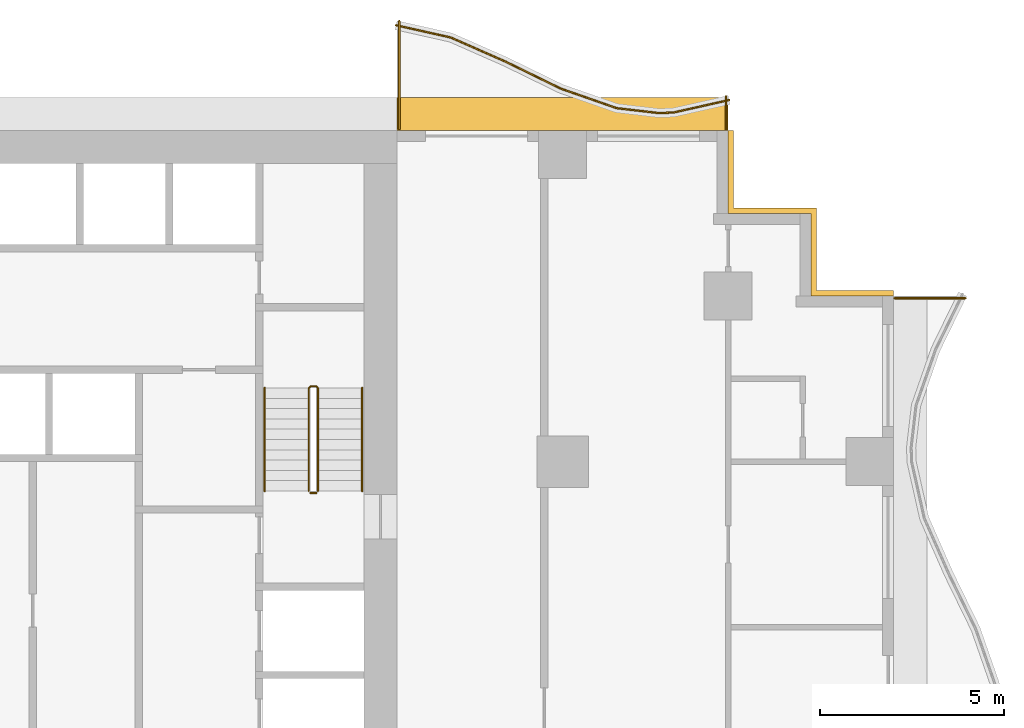
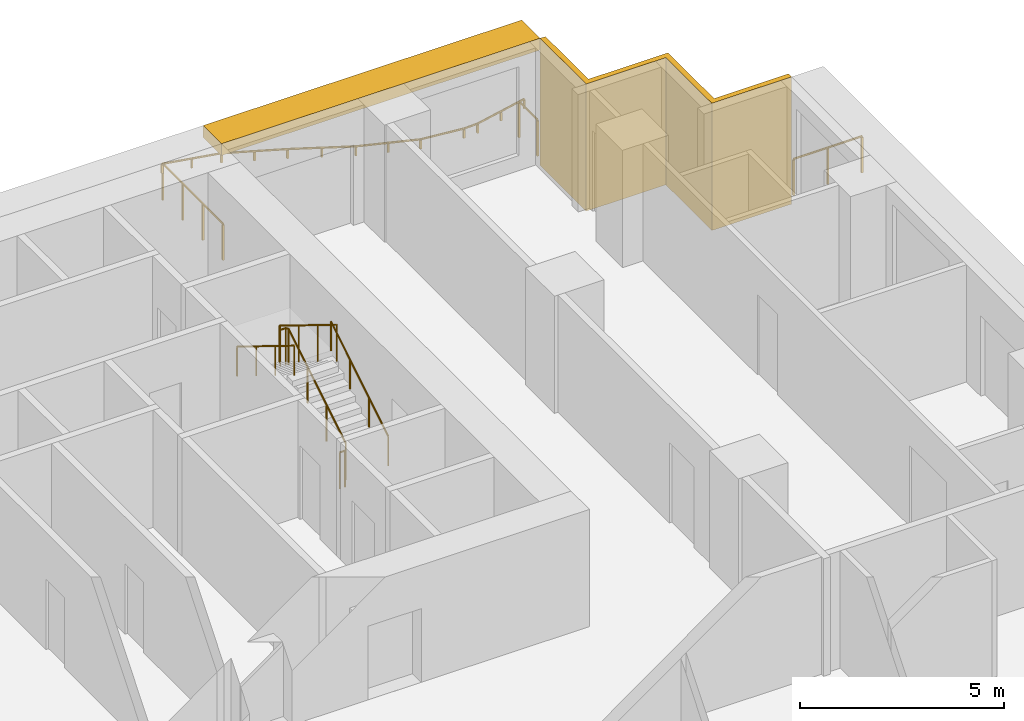
# One storey, part 13 of 13: 8 railings, 2 shading devices.
"""IFC4 building model written with IfcOpenShell, lengths in metres."""

import ifcopenshell
import ifcopenshell.guid

model = None  # the IFC model being written
_history = None  # IfcOwnerHistory: only IFC2X3 demands one
_inside = {}  # id of a spatial element -> (the spatial element, [elements in it])
_under = {}  # id of a project, library or spatial element -> (it, [spatial elements below it])
_declared = {}  # id of a project -> (the project, [libraries it declares])
_typed = {}  # id of a type object -> (the type object, [elements of that type])
_made_of = {}  # id of a material, layer set ... -> (it, [elements and type objects made of it])


def new_model(schema):
    """Start an empty IFC model of exactly this schema.

    Asked for "IFC4X3", IfcOpenShell would pick the latest addendum, in which some entities
    have other attributes; the version numbers below select the first issue.
    IFC2X3 requires an IfcOwnerHistory on every rooted entity: one is made here for all.
    """
    global model, _history
    if schema == "IFC4X3":
        model = ifcopenshell.file(schema_version=(4, 3, 0, 0))
    else:
        model = ifcopenshell.file(schema=schema)
    _inside.clear()
    _under.clear()
    _declared.clear()
    _typed.clear()
    _made_of.clear()
    _history = None
    if model.schema == "IFC2X3":
        org = make("IfcOrganization", Name="unknown")
        user = make(
            "IfcPersonAndOrganization",
            ThePerson=make("IfcPerson", FamilyName="unknown"),
            TheOrganization=org,
        )
        app = make(
            "IfcApplication",
            ApplicationDeveloper=org,
            Version="unknown",
            ApplicationFullName="unknown",
            ApplicationIdentifier="unknown",
        )
        _history = make(
            "IfcOwnerHistory",
            OwningUser=user,
            OwningApplication=app,
            ChangeAction="ADDED",
            CreationDate=0,
        )
    return model


def make(cls, **values):
    """One entity of the class cls with the attributes given. An attribute that is None is left unset."""
    return model.create_entity(
        cls, **{name: value for name, value in values.items() if value is not None}
    )


def rooted(cls, **values):
    """An entity with a GlobalId (a new one), such as an element, a storey or a relation."""
    return make(cls, GlobalId=ifcopenshell.guid.new(), OwnerHistory=_history, **values)


def si_unit(unit_type, name, prefix=None):
    """IfcSIUnit, for example si_unit("LENGTHUNIT", "METRE", prefix="MILLI")."""
    return make("IfcSIUnit", UnitType=unit_type, Prefix=prefix, Name=name)


def assignment(units):
    """IfcUnitAssignment: the units of a project."""
    return None if units is None else make("IfcUnitAssignment", Units=units)


def point(xyz):
    """IfcCartesianPoint."""
    return None if xyz is None else make("IfcCartesianPoint", Coordinates=xyz)


def direction(xyz):
    """IfcDirection."""
    return None if xyz is None else make("IfcDirection", DirectionRatios=xyz)


def frame(location, z_axis=None, x_axis=None):
    """IfcAxis2Placement3D, a coordinate frame: its origin and axes. An axis left out is left unset."""
    return make(
        "IfcAxis2Placement3D",
        Location=point(location),
        Axis=direction(z_axis),
        RefDirection=direction(x_axis),
    )


def frame_2d(location, x_axis=None):
    """IfcAxis2Placement2D, a coordinate frame in the plane: its origin and x axis."""
    return make(
        "IfcAxis2Placement2D", Location=point(location), RefDirection=direction(x_axis)
    )


def origin():
    """The frame at (0, 0, 0) with its axes left unset."""
    return frame((0.0, 0.0, 0.0))


def origin_2d():
    """The frame at (0, 0) in the plane with its x axis left unset."""
    return frame_2d((0.0, 0.0))


def place(relative_to, where):
    """IfcLocalPlacement: puts the frame where relative to a parent placement (None: the world)."""
    return make(
        "IfcLocalPlacement", PlacementRelTo=relative_to, RelativePlacement=where
    )


def context(
    kind, dimensions, precision=None, world=None, true_north=None, identifier=None
):
    """IfcGeometricRepresentationContext, for example the 3D "Model" context."""
    return make(
        "IfcGeometricRepresentationContext",
        ContextIdentifier=identifier,
        ContextType=kind,
        CoordinateSpaceDimension=dimensions,
        Precision=precision,
        WorldCoordinateSystem=world,
        TrueNorth=true_north,
    )


def subcontext(parent, identifier, kind, view, scale=None):
    """IfcGeometricRepresentationSubContext, for example "Body" below "Model"."""
    return make(
        "IfcGeometricRepresentationSubContext",
        ContextIdentifier=identifier,
        ContextType=kind,
        ParentContext=parent,
        TargetScale=scale,
        TargetView=view,
    )


def project(units=None, contexts=None):
    """IfcProject with its units and contexts."""
    return rooted(
        "IfcProject",
        Name="project",
        RepresentationContexts=contexts,
        UnitsInContext=assignment(units),
    )


def spatial(cls, under=None, at=None, **own):
    """A site, building, storey or space (cls), placed at a placement, below another one or the project."""
    s = rooted(cls, ObjectPlacement=at, **own)
    if under is not None:
        _under.setdefault(under.id(), (under, []))[1].append(s)
    return s


def polyline(points):
    """IfcPolyline through the points."""
    return make("IfcPolyline", Points=[point(p) for p in points])


def profile(cls, at=None, kind="AREA", **sizes):
    """A parametric profile (cls). Its sizes go by their IFC names, for example OverallWidth=200.0."""
    return make(cls, ProfileType=kind, Position=at, **sizes)


def rectangle(**sizes):
    """IfcRectangleProfileDef."""
    return profile("IfcRectangleProfileDef", **sizes)


def circle(**sizes):
    """IfcCircleProfileDef."""
    return profile("IfcCircleProfileDef", **sizes)


def outline(outer, holes=None, kind="AREA"):
    """IfcArbitraryClosedProfileDef: a profile drawn as a closed curve; with holes, ...WithVoids."""
    if holes is None:
        return make("IfcArbitraryClosedProfileDef", ProfileType=kind, OuterCurve=outer)
    return make(
        "IfcArbitraryProfileDefWithVoids",
        ProfileType=kind,
        OuterCurve=outer,
        InnerCurves=holes,
    )


def extrude(swept, where, along, depth):
    """IfcExtrudedAreaSolid: the profile swept, set in the frame where, extruded along a direction by depth."""
    return make(
        "IfcExtrudedAreaSolid",
        SweptArea=swept,
        Position=where,
        ExtrudedDirection=direction(along),
        Depth=depth,
    )


def shape(context_of_items, identifier, shape_type, items):
    """IfcShapeRepresentation: the items that make up one representation, for example the "Body"."""
    return make(
        "IfcShapeRepresentation",
        ContextOfItems=context_of_items,
        RepresentationIdentifier=identifier,
        RepresentationType=shape_type,
        Items=items,
    )


def material(Name=None, Category=None):
    """IfcMaterial."""
    return make("IfcMaterial", Name=Name, Category=Category)


def layer(
    of_material, thickness, ventilated=None, Name=None, Category=None, Priority=None
):
    """IfcMaterialLayer: one layer of a wall or slab, of a material (None: an air gap)."""
    return make(
        "IfcMaterialLayer",
        Material=of_material,
        LayerThickness=thickness,
        IsVentilated=ventilated,
        Name=Name,
        Category=Category,
        Priority=Priority,
    )


def layer_set(layers, Name=None):
    """IfcMaterialLayerSet."""
    return make("IfcMaterialLayerSet", MaterialLayers=layers, LayerSetName=Name)


def made_of(thing, what):
    """Note that an element or type object is made of a material, layer set ...; save() writes the relation."""
    if what is not None:
        _made_of.setdefault(what.id(), (what, []))[1].append(thing)
    return thing


def type_object(cls, material=None, **own):
    """A type object (cls), such as IfcWallType, which elements share."""
    return made_of(rooted(cls, **own), material)


def element(
    cls,
    number,
    at=None,
    inside=None,
    cuts=None,
    type_object=None,
    material=None,
    context=None,
    identifier="Body",
    shape_type=None,
    held_by="IfcProductDefinitionShape",
    body=None,
    shapes=None,
    **own,
):
    """One element of the class cls, such as IfcWall. Its Tag is "e" and its number.

    at: its placement. inside: the storey or other place that contains it. cuts: it is an
    opening in that element (IfcRelVoidsElement). A single representation is given by context,
    identifier, shape_type and body (its items); several are given by shapes. held_by: the class
    of the entity that holds the representations. save() writes the other relations.
    """
    e = rooted(cls, Tag="e%d" % number, ObjectPlacement=at, **own)
    if body is not None:
        shapes = [shape(context, identifier, shape_type, body)]
    if shapes is not None:
        e.Representation = make(held_by, Representations=shapes)
    if inside is not None:
        _inside.setdefault(inside.id(), (inside, []))[1].append(e)
    if cuts is not None:
        rooted(
            "IfcRelVoidsElement", RelatingBuildingElement=cuts, RelatedOpeningElement=e
        )
    if type_object is not None:
        _typed.setdefault(type_object.id(), (type_object, []))[1].append(e)
    return made_of(e, material)


def aggregate(whole, parts):
    """IfcRelAggregates: a whole, such as a stair, and the parts it consists of."""
    return rooted("IfcRelAggregates", RelatingObject=whole, RelatedObjects=parts)


def save(model, path):
    """Write the relations noted so far, then the file.

    IfcRelAggregates (storeys below a building ...), IfcRelContainedInSpatialStructure (elements
    in a storey), IfcRelDefinesByType, IfcRelAssociatesMaterial and IfcRelDeclares: one each for
    every whole, place, type object, material and project.
    """
    for whole, parts in _under.values():
        aggregate(whole, parts)
    for where, things in _inside.values():
        rooted(
            "IfcRelContainedInSpatialStructure",
            RelatedElements=things,
            RelatingStructure=where,
        )
    for kind, things in _typed.values():
        rooted("IfcRelDefinesByType", RelatedObjects=things, RelatingType=kind)
    for what, things in _made_of.values():
        rooted("IfcRelAssociatesMaterial", RelatedObjects=things, RelatingMaterial=what)
    for by, libraries in _declared.values():
        rooted("IfcRelDeclares", RelatingContext=by, RelatedDefinitions=libraries)
    model.write(path)


model = new_model("IFC4")

# Units and contexts
model_context = context("Model", 3, precision=1e-05, world=origin(), true_north=direction((0.0, 1.0)))
body_context = subcontext(model_context, "Body", "Model", "MODEL_VIEW")
ifc_project = project(units=[si_unit("LENGTHUNIT", "METRE"), si_unit("AREAUNIT", "SQUARE_METRE"), si_unit("VOLUMEUNIT", "CUBIC_METRE"), si_unit("PLANEANGLEUNIT", "RADIAN"), si_unit("MASSUNIT", "GRAM", prefix="KILO")], contexts=[model_context])

# Site, building, storey
site_placement = place(None, origin())
site = spatial("IfcSite", under=ifc_project, at=site_placement, CompositionType="ELEMENT")
building_placement = place(site_placement, origin())
building = spatial("IfcBuilding", under=site, at=building_placement, Name="Orbiselva Terraces", CompositionType="ELEMENT")
storey_placement = place(building_placement, frame((0.0, 0.0, 96.0)))
storey = spatial("IfcBuildingStorey", under=building, at=storey_placement, Name="L24", CompositionType="ELEMENT", Elevation=96.0)

# Railings
ifc_material_1 = material(Name="Stainless steel", Category="steel")
railing_type_1 = type_object("IfcRailingType", Name="CORE-GUARD-1100", PredefinedType="GUARDRAIL", material=ifc_material_1)
railing_1_placement = place(storey_placement, frame((11.35, 12.7, 0.172727)))
element("IfcRailing", 1, at=railing_1_placement, inside=storey, type_object=railing_type_1, Name="L24 S2 stair guard 1", PredefinedType="GUARDRAIL", context=body_context, shape_type="SweptSolid", body=[
    extrude(circle(Radius=0.024, at=origin_2d()), frame((0.0, 0.0, 1.081), z_axis=(0.0, 0.851088519012, 0.52502222125), x_axis=(-1.0, 0.0, 0.0)), (0.0, 0.0, 1.0), 3.289905),
    extrude(circle(Radius=0.024, at=origin_2d()), frame((0.0, 2.8, 2.808273), z_axis=(-0.707106781187, 0.707106781187, 0.0), x_axis=(-0.707106781187, -0.707106781187, 0.0)), (0.0, 0.0, 1.0), 0.070711),
    extrude(circle(Radius=0.024, at=origin_2d()), frame((-0.05, 2.85, 2.808273), z_axis=(-1.0, 0.0, 0.0), x_axis=(0.0, -1.0, 0.0)), (0.0, 0.0, 1.0), 0.15),
    extrude(circle(Radius=0.024, at=origin_2d()), frame((-0.2, 2.85, 2.808273), z_axis=(-0.267894925557, -0.267894925557, 0.925453736133), x_axis=(0.707106781187, -0.707106781187, 0.0)), (0.0, 0.0, 1.0), 0.18664),
    extrude(circle(Radius=0.024, at=origin_2d()), frame((-0.25, 2.8, 2.981), z_axis=(0.0, -0.851088519012, 0.52502222125), x_axis=(1.0, 0.0, 0.0)), (0.0, 0.0, 1.0), 3.289905),
    extrude(circle(Radius=0.021, at=origin_2d()), origin(), (0.0, 0.0, 1.0), 1.057),
    extrude(circle(Radius=0.021, at=origin_2d()), frame((0.0, 0.933333, 0.575758)), (0.0, 0.0, 1.0), 1.057),
    extrude(circle(Radius=0.021, at=origin_2d()), frame((0.0, 1.866667, 1.151515)), (0.0, 0.0, 1.0), 1.057),
    extrude(circle(Radius=0.021, at=origin_2d()), frame((0.0, 2.8, 1.727273)), (0.0, 0.0, 1.0), 1.057),
    extrude(circle(Radius=0.021, at=origin_2d()), frame((-0.05, 2.85, 1.727273)), (0.0, 0.0, 1.0), 1.057),
    extrude(circle(Radius=0.021, at=origin_2d()), frame((-0.2, 2.85, 1.727273)), (0.0, 0.0, 1.0), 1.057),
    extrude(circle(Radius=0.021, at=origin_2d()), frame((-0.25, 2.8, 1.9)), (0.0, 0.0, 1.0), 1.057),
    extrude(circle(Radius=0.021, at=origin_2d()), frame((-0.25, 1.866667, 2.475758)), (0.0, 0.0, 1.0), 1.057),
    extrude(circle(Radius=0.021, at=origin_2d()), frame((-0.25, 0.933333, 3.051515)), (0.0, 0.0, 1.0), 1.057),
    extrude(circle(Radius=0.021, at=origin_2d()), frame((-0.25, 0.0, 3.627273)), (0.0, 0.0, 1.0), 1.057),
])
railing_2_placement = place(storey_placement, frame((11.3, 12.65, 0.0)))
element("IfcRailing", 2, at=railing_2_placement, inside=storey, type_object=railing_type_1, Name="L24 S2 stair guard 2", PredefinedType="GUARDRAIL", context=body_context, shape_type="SweptSolid", body=[
    extrude(circle(Radius=0.024, at=origin_2d()), frame((0.0, 0.0, 1.081), z_axis=(-1.0, 0.0, 0.0), x_axis=(0.0, -1.0, 0.0)), (0.0, 0.0, 1.0), 0.15),
    extrude(circle(Radius=0.021, at=origin_2d()), origin(), (0.0, 0.0, 1.0), 1.057),
    extrude(circle(Radius=0.021, at=origin_2d()), frame((-0.15, 0.0, 0.0)), (0.0, 0.0, 1.0), 1.057),
])
railing_type_2 = type_object("IfcRailingType", Name="CORE-HANDRAIL-900", PredefinedType="HANDRAIL", material=ifc_material_1)
railing_3_placement = place(storey_placement, frame((12.55, 12.7, 0.172727)))
element("IfcRailing", 3, at=railing_3_placement, inside=storey, type_object=railing_type_2, Name="L24 S2 stair handrail 1", PredefinedType="HANDRAIL", context=body_context, shape_type="SweptSolid", body=[
    extrude(circle(Radius=0.024, at=origin_2d()), frame((0.0, 0.0, 0.876), z_axis=(0.0, 0.851088519012, 0.52502222125), x_axis=(-1.0, 0.0, 0.0)), (0.0, 0.0, 1.0), 3.289905),
    extrude(circle(Radius=0.021, at=origin_2d()), origin(), (0.0, 0.0, 1.0), 0.852),
    extrude(circle(Radius=0.021, at=origin_2d()), frame((0.0, 0.933333, 0.575758)), (0.0, 0.0, 1.0), 0.852),
    extrude(circle(Radius=0.021, at=origin_2d()), frame((0.0, 1.866667, 1.151515)), (0.0, 0.0, 1.0), 0.852),
    extrude(circle(Radius=0.021, at=origin_2d()), frame((0.0, 2.8, 1.727273)), (0.0, 0.0, 1.0), 0.852),
])
railing_4_placement = place(storey_placement, frame((9.9, 15.5, 2.072727)))
element("IfcRailing", 4, at=railing_4_placement, inside=storey, type_object=railing_type_2, Name="L24 S2 stair handrail 2", PredefinedType="HANDRAIL", context=body_context, shape_type="SweptSolid", body=[
    extrude(circle(Radius=0.024, at=origin_2d()), frame((0.0, 0.0, 0.876), z_axis=(0.0, -0.851088519012, 0.52502222125), x_axis=(1.0, 0.0, 0.0)), (0.0, 0.0, 1.0), 3.289905),
    extrude(circle(Radius=0.021, at=origin_2d()), origin(), (0.0, 0.0, 1.0), 0.852),
    extrude(circle(Radius=0.021, at=origin_2d()), frame((0.0, -0.933333, 0.575758)), (0.0, 0.0, 1.0), 0.852),
    extrude(circle(Radius=0.021, at=origin_2d()), frame((0.0, -1.866667, 1.151515)), (0.0, 0.0, 1.0), 0.852),
    extrude(circle(Radius=0.021, at=origin_2d()), frame((0.0, -2.8, 1.727273)), (0.0, 0.0, 1.0), 0.852),
])
ifc_material_2 = material(Name="Bonded two-ply safety glass balustrade, stainless steel posts", Category="steel")
railing_type_3 = type_object("IfcRailingType", Name="ENV-BALUSTRADE-1200", PredefinedType="BALUSTRADE", material=ifc_material_2)
railing_5_placement = place(storey_placement, frame((22.527377, 23.329507, 0.9)))
element("IfcRailing", 5, at=railing_5_placement, inside=storey, type_object=railing_type_3, Name="Balcony balustrade L24 NE", PredefinedType="BALUSTRADE", context=body_context, shape_type="SweptSolid", body=[
    extrude(outline(polyline([(0.028868, 0.0), (0.014434, 0.025), (-0.014434, 0.025), (-0.028868, 0.0), (-0.014434, -0.025), (0.014434, -0.025), (0.028868, 0.0)])), frame((0.0, 0.0, 0.275), z_axis=(-0.97572138316, -0.219015484484, 0.0), x_axis=(0.219015484484, -0.97572138316, 0.0)), (0.0, 0.0, 1.0), 1.548694),
    extrude(outline(polyline([(0.028868, 0.0), (0.014434, 0.025), (-0.014434, 0.025), (-0.028868, 0.0), (-0.014434, -0.025), (0.014434, -0.025), (0.028868, 0.0)])), frame((-1.511094, -0.339188, 0.275), z_axis=(-0.999224734286, -0.03936915532, 0.0), x_axis=(0.03936915532, -0.999224734286, 0.0)), (0.0, 0.0, 1.0), 0.396376),
    extrude(outline(polyline([(0.028868, 0.0), (0.014434, 0.025), (-0.014434, 0.025), (-0.028868, 0.0), (-0.014434, -0.025), (0.014434, -0.025), (0.028868, 0.0)])), frame((-1.907163, -0.354793, 0.275), z_axis=(-0.993309551734, 0.115482182324, 0.0), x_axis=(-0.115482182324, -0.993309551734, 0.0)), (0.0, 0.0, 1.0), 1.156135),
    extrude(outline(polyline([(0.028868, 0.0), (0.014434, 0.025), (-0.014434, 0.025), (-0.028868, 0.0), (-0.014434, -0.025), (0.014434, -0.025), (0.028868, 0.0)])), frame((-3.055563, -0.22128, 0.275), z_axis=(-0.943972332783, 0.330024597479, 0.0), x_axis=(-0.330024597479, -0.943972332783, 0.0)), (0.0, 0.0, 1.0), 1.610253),
    extrude(outline(polyline([(0.028868, 0.0), (0.014434, 0.025), (-0.014434, 0.025), (-0.028868, 0.0), (-0.014434, -0.025), (0.014434, -0.025), (0.028868, 0.0)])), frame((-4.575597, 0.310143, 0.275), z_axis=(-0.898578870221, 0.438812048596, 0.0), x_axis=(-0.438812048596, -0.898578870221, 0.0)), (0.0, 0.0, 1.0), 1.674225),
    extrude(outline(polyline([(0.028868, 0.0), (0.014434, 0.025), (-0.014434, 0.025), (-0.028868, 0.0), (-0.014434, -0.025), (0.014434, -0.025), (0.028868, 0.0)])), frame((-6.08002, 1.044813, 0.275), z_axis=(-0.915133363686, 0.403151245402, 0.0), x_axis=(-0.403151245402, -0.915133363686, 0.0)), (0.0, 0.0, 1.0), 1.624475),
    extrude(outline(polyline([(0.028868, 0.0), (0.014434, 0.025), (-0.014434, 0.025), (-0.028868, 0.0), (-0.014434, -0.025), (0.014434, -0.025), (0.028868, 0.0)])), frame((-7.566631, 1.699722, 0.275), z_axis=(-0.975721356559, 0.219015602994, 0.0), x_axis=(-0.219015602994, -0.975721356559, 0.0)), (0.0, 0.0, 1.0), 1.525152),
    extrude(rectangle(XDim=0.05, YDim=0.05, at=origin_2d()), origin(), (0.0, 0.0, 1.0), 0.25),
    extrude(rectangle(XDim=0.05, YDim=0.05, at=origin_2d()), frame((-0.755547, -0.169594, 0.0)), (0.0, 0.0, 1.0), 0.25),
    extrude(rectangle(XDim=0.05, YDim=0.05, at=origin_2d()), frame((-1.511094, -0.339188, 0.0)), (0.0, 0.0, 1.0), 0.25),
    extrude(rectangle(XDim=0.05, YDim=0.05, at=origin_2d()), frame((-1.907163, -0.354793, 0.0)), (0.0, 0.0, 1.0), 0.25),
    extrude(rectangle(XDim=0.05, YDim=0.05, at=origin_2d()), frame((-3.055563, -0.22128, 0.0)), (0.0, 0.0, 1.0), 0.25),
    extrude(rectangle(XDim=0.05, YDim=0.05, at=origin_2d()), frame((-3.81558, 0.044431, 0.0)), (0.0, 0.0, 1.0), 0.25),
    extrude(rectangle(XDim=0.05, YDim=0.05, at=origin_2d()), frame((-4.575597, 0.310143, 0.0)), (0.0, 0.0, 1.0), 0.25),
    extrude(rectangle(XDim=0.05, YDim=0.05, at=origin_2d()), frame((-5.327809, 0.677478, 0.0)), (0.0, 0.0, 1.0), 0.25),
    extrude(rectangle(XDim=0.05, YDim=0.05, at=origin_2d()), frame((-6.08002, 1.044813, 0.0)), (0.0, 0.0, 1.0), 0.25),
    extrude(rectangle(XDim=0.05, YDim=0.05, at=origin_2d()), frame((-6.823326, 1.372268, 0.0)), (0.0, 0.0, 1.0), 0.25),
    extrude(rectangle(XDim=0.05, YDim=0.05, at=origin_2d()), frame((-7.566631, 1.699722, 0.0)), (0.0, 0.0, 1.0), 0.25),
    extrude(rectangle(XDim=0.05, YDim=0.05, at=origin_2d()), frame((-8.310693, 1.866738, 0.0)), (0.0, 0.0, 1.0), 0.25),
    extrude(rectangle(XDim=0.05, YDim=0.05, at=origin_2d()), frame((-9.054754, 2.033754, 0.0)), (0.0, 0.0, 1.0), 0.25),
])
ifc_material_3 = material(Name="Stainless steel rail and posts", Category="steel")
railing_type_4 = type_object("IfcRailingType", Name="ENV-GUARD-1105", PredefinedType="BALUSTRADE", material=ifc_material_3)
railing_6_placement = place(storey_placement, frame((28.957877, 17.94, 0.0)))
element("IfcRailing", 6, at=railing_6_placement, inside=storey, type_object=railing_type_4, Name="Balcony end guard L24 E", PredefinedType="BALUSTRADE", context=body_context, shape_type="SweptSolid", body=[
    extrude(outline(polyline([(0.028868, 0.0), (0.014434, 0.025), (-0.014434, 0.025), (-0.028868, 0.0), (-0.014434, -0.025), (0.014434, -0.025), (0.028868, 0.0)])), frame((0.0, 0.0, 1.08), z_axis=(-1.0, 0.0, 0.0), x_axis=(0.0, -1.0, 0.0)), (0.0, 0.0, 1.0), 1.932877),
    extrude(rectangle(XDim=0.05, YDim=0.05, at=origin_2d()), origin(), (0.0, 0.0, 1.0), 1.055),
    extrude(rectangle(XDim=0.05, YDim=0.05, at=origin_2d()), frame((-0.966439, 0.0, 0.0)), (0.0, 0.0, 1.0), 1.055),
    extrude(rectangle(XDim=0.05, YDim=0.05, at=origin_2d()), frame((-1.932877, 0.0, 0.0)), (0.0, 0.0, 1.0), 1.055),
])
railing_7_placement = place(storey_placement, frame((22.44, 23.430416, 0.0)))
element("IfcRailing", 7, at=railing_7_placement, inside=storey, type_object=railing_type_4, Name="Balcony end guard L24 NE", PredefinedType="BALUSTRADE", context=body_context, shape_type="SweptSolid", body=[
    extrude(outline(polyline([(0.028868, 0.0), (0.014434, 0.025), (-0.014434, 0.025), (-0.028868, 0.0), (-0.014434, -0.025), (0.014434, -0.025), (0.028868, 0.0)])), frame((0.0, 0.0, 1.08), z_axis=(0.0, -1.0, 0.0), x_axis=(1.0, 0.0, 0.0)), (0.0, 0.0, 1.0), 0.905416),
    extrude(rectangle(XDim=0.05, YDim=0.05, at=origin_2d()), origin(), (0.0, 0.0, 1.0), 1.055),
    extrude(rectangle(XDim=0.05, YDim=0.05, at=origin_2d()), frame((0.0, -0.905416, 0.0)), (0.0, 0.0, 1.0), 1.055),
])
railing_8_placement = place(storey_placement, frame((13.56, 25.480134, 0.0)))
element("IfcRailing", 8, at=railing_8_placement, inside=storey, type_object=railing_type_4, Name="Balcony end guard L24 NE", PredefinedType="BALUSTRADE", context=body_context, shape_type="SweptSolid", body=[
    extrude(outline(polyline([(0.028868, 0.0), (0.014434, 0.025), (-0.014434, 0.025), (-0.028868, 0.0), (-0.014434, -0.025), (0.014434, -0.025), (0.028868, 0.0)])), frame((0.0, 0.0, 1.08), z_axis=(0.0, -1.0, 0.0), x_axis=(1.0, 0.0, 0.0)), (0.0, 0.0, 1.0), 2.955134),
    extrude(rectangle(XDim=0.05, YDim=0.05, at=origin_2d()), origin(), (0.0, 0.0, 1.0), 1.055),
    extrude(rectangle(XDim=0.05, YDim=0.05, at=origin_2d()), frame((0.0, -0.985045, 0.0)), (0.0, 0.0, 1.0), 1.055),
    extrude(rectangle(XDim=0.05, YDim=0.05, at=origin_2d()), frame((0.0, -1.970089, 0.0)), (0.0, 0.0, 1.0), 1.055),
    extrude(rectangle(XDim=0.05, YDim=0.05, at=origin_2d()), frame((0.0, -2.955134, 0.0)), (0.0, 0.0, 1.0), 1.055),
])

# Shading devices
ifc_material_4 = material(Name="Terracotta louvre screen", Category="masonry")
ifc_layer_1 = layer(ifc_material_4, 0.15)
ifc_layer_set_1 = layer_set([ifc_layer_1], Name="Terracotta louvre screen")
shading_device_type_1 = type_object("IfcShadingDeviceType", Name="ENV-SCREEN-150", PredefinedType="USERDEFINED", material=ifc_layer_set_1)
shading_device_1_placement = place(storey_placement, frame((0.0, 0.0, -0.3)))
element("IfcShadingDevice", 9, at=shading_device_1_placement, inside=storey, type_object=shading_device_type_1, Name="Louvre screen L24 NE", ObjectType="SCREEN", PredefinedType="USERDEFINED", context=body_context, shape_type="SweptSolid", body=[
    extrude(outline(polyline([(27.0, 18.15), (24.9, 18.15), (24.9, 20.4), (22.65, 20.4), (22.65, 22.5), (22.5, 22.5), (22.5, 20.25), (24.75, 20.25), (24.75, 18.0), (27.0, 18.0), (27.0, 18.15)])), origin(), (0.0, 0.0, 1.0), 3.8),
])
ifc_material_5 = material(Name="Terracotta baguette sunshade", Category="masonry")
ifc_layer_2 = layer(ifc_material_5, 0.35)
ifc_layer_set_2 = layer_set([ifc_layer_2], Name="Terracotta baguette sunshade")
shading_device_type_2 = type_object("IfcShadingDeviceType", Name="ENV-SUNSHADE-900x350", PredefinedType="USERDEFINED", material=ifc_layer_set_2)
shading_device_2_placement = place(storey_placement, frame((0.0, 0.0, 3.15)))
element("IfcShadingDevice", 10, at=shading_device_2_placement, inside=storey, type_object=shading_device_type_2, Name="Sunshade band L24 NE", ObjectType="SUNSHADE", PredefinedType="USERDEFINED", context=body_context, shape_type="SweptSolid", body=[
    extrude(outline(polyline([(22.5, 23.4), (13.5, 23.4), (13.5, 22.5), (22.5, 22.5), (22.5, 23.4)])), origin(), (0.0, 0.0, 1.0), 0.35),
])

save(model, "model.ifc")
